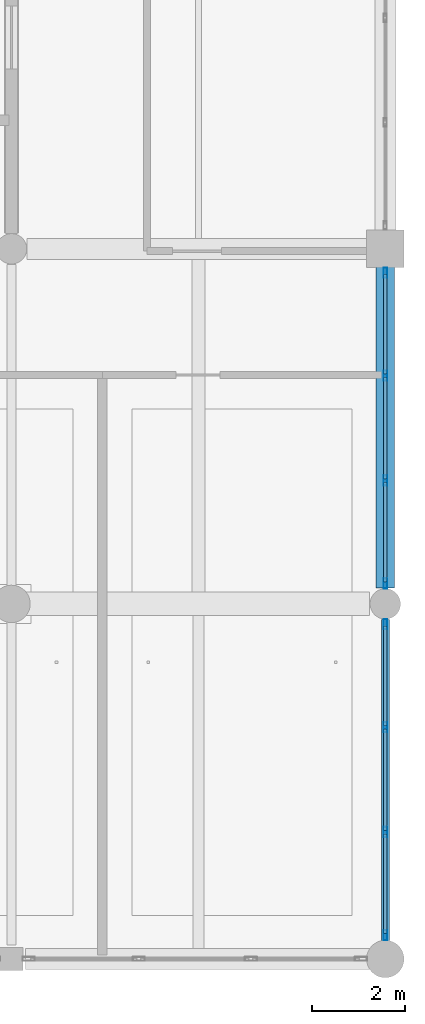
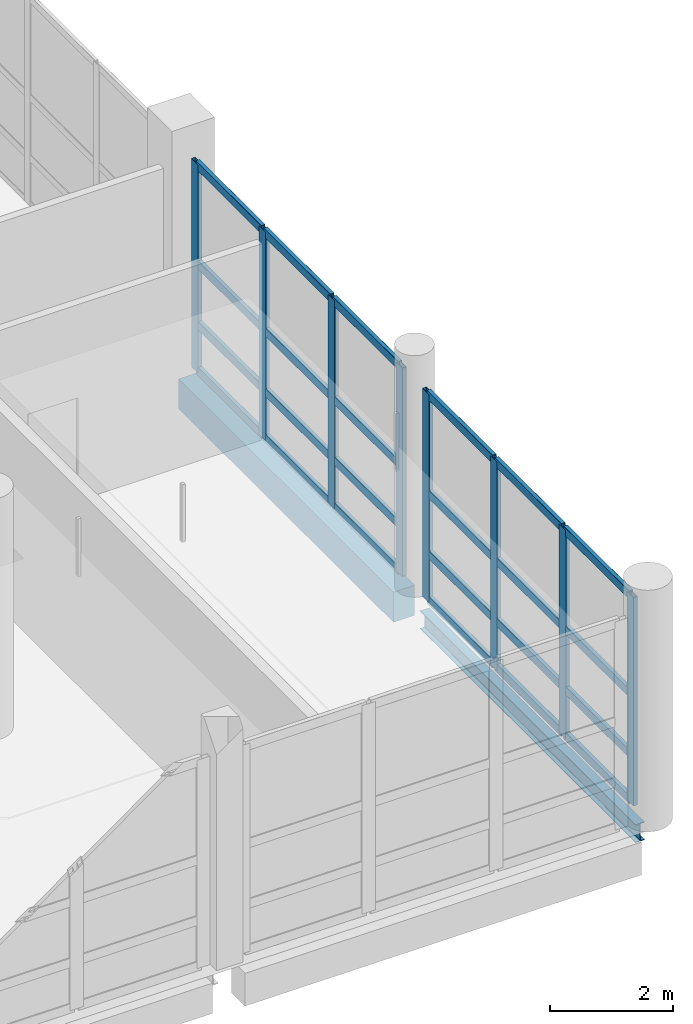
# One storey, part 6 of 18: 32 members, 2 beams, 2 elements without a shape of their own.
"""IFC4 building model written with IfcOpenShell, lengths in metres."""

from ifc_helpers import new_model, si_unit, direction, frame, origin, origin_2d, place, context, subcontext, project, spatial, rectangle, hollow_rectangle, i_section, extrude, material, material_profile, profile_set, type_object, element, aggregate, save


model = new_model("IFC4")

# Units and contexts
model_context = context("Model", 3, precision=1e-05, world=origin(), true_north=direction((0.0, 1.0)))
body_context = subcontext(model_context, "Body", "Model", "MODEL_VIEW")
ifc_project = project(units=[si_unit("LENGTHUNIT", "METRE"), si_unit("AREAUNIT", "SQUARE_METRE"), si_unit("VOLUMEUNIT", "CUBIC_METRE"), si_unit("PLANEANGLEUNIT", "RADIAN"), si_unit("MASSUNIT", "GRAM", prefix="KILO")], contexts=[model_context])

# Site, building, storey
site_placement = place(None, origin())
site = spatial("IfcSite", under=ifc_project, at=site_placement, CompositionType="ELEMENT")
building_placement = place(site_placement, origin())
building = spatial("IfcBuilding", under=site, at=building_placement, Name="Khelvaren Railside Concert Hall", CompositionType="ELEMENT")
storey_placement = place(building_placement, frame((0.0, 0.0, 24.60009765625)))
storey = spatial("IfcBuildingStorey", under=building, at=storey_placement, Name="L05", CompositionType="ELEMENT", Elevation=24.60009765625)

# Curtain wall, members
ifc_material_1 = material(Name="Triple-glazed solar-control glass", Category="glass")
curtain_wall_type_1 = type_object("IfcCurtainWallType", Name="CW41", PredefinedType="USERDEFINED", material=ifc_material_1)
curtain_wall_1_placement = place(storey_placement, origin())
curtain_wall_1 = element("IfcCurtainWall", 1, at=curtain_wall_1_placement, inside=storey, type_object=curtain_wall_type_1, Name="Unitised Curtain Wall CW-V5-L05-E-91", ObjectType="UNITISED CURTAIN WALL", PredefinedType="USERDEFINED")
ifc_material_2 = material(Name="Anodised architectural aluminium 6063-T6", Category="aluminium")
ifc_material_profile_1 = material_profile(ifc_material_2, hollow_rectangle(XDim=0.074951171875, YDim=0.219970703125, WallThickness=0.0048828125, InnerFilletRadius=0.0029296875, OuterFilletRadius=0.0048828125, at=origin_2d()), Name="CWM 75x220x5")
ifc_profile_set_1 = profile_set([ifc_material_profile_1], Name="Anodised architectural aluminium 6063-T6")
member_type_1 = type_object("IfcMemberType", Name="CWM13", PredefinedType="MULLION", material=ifc_profile_set_1)
member_1_placement = place(storey_placement, frame((184.0, 98.364990234375, 0.0), z_axis=(0.0, 0.0, 1.0), x_axis=(1.0, 0.0, 0.0)))
member_1 = element("IfcMember", 2, at=member_1_placement, type_object=member_type_1, Name="CW41 mullion 1", PredefinedType="MULLION", context=body_context, shape_type="SweptSolid", body=[
    extrude(hollow_rectangle(XDim=0.074951171875, YDim=0.219970703125, WallThickness=0.0048828125, InnerFilletRadius=0.0029296875, OuterFilletRadius=0.0048828125, at=origin_2d()), origin(), (0.0, 0.0, 1.0), 4.139892578125),
])
member_2_placement = place(storey_placement, frame((184.0, 96.1591796875, 0.0), z_axis=(0.0, 0.0, 1.0), x_axis=(1.0, 0.0, 0.0)))
member_2 = element("IfcMember", 3, at=member_2_placement, type_object=member_type_1, Name="CW41 mullion 2", PredefinedType="MULLION", context=body_context, shape_type="SweptSolid", body=[
    extrude(hollow_rectangle(XDim=0.074951171875, YDim=0.219970703125, WallThickness=0.0048828125, InnerFilletRadius=0.0029296875, OuterFilletRadius=0.0048828125, at=origin_2d()), origin(), (0.0, 0.0, 1.0), 4.139892578125),
])
member_3_placement = place(storey_placement, frame((184.0, 93.915771484375, 0.0), z_axis=(0.0, 0.0, 1.0), x_axis=(1.0, 0.0, 0.0)))
member_3 = element("IfcMember", 4, at=member_3_placement, type_object=member_type_1, Name="CW41 mullion 3", PredefinedType="MULLION", context=body_context, shape_type="SweptSolid", body=[
    extrude(hollow_rectangle(XDim=0.074951171875, YDim=0.219970703125, WallThickness=0.0048828125, InnerFilletRadius=0.0029296875, OuterFilletRadius=0.0048828125, at=origin_2d()), origin(), (0.0, 0.0, 1.0), 4.139892578125),
])
member_4_placement = place(storey_placement, frame((184.0, 91.7099609375, 0.0), z_axis=(0.0, 0.0, 1.0), x_axis=(1.0, 0.0, 0.0)))
member_4 = element("IfcMember", 5, at=member_4_placement, type_object=member_type_1, Name="CW41 mullion 4", PredefinedType="MULLION", context=body_context, shape_type="SweptSolid", body=[
    extrude(hollow_rectangle(XDim=0.074951171875, YDim=0.219970703125, WallThickness=0.0048828125, InnerFilletRadius=0.0029296875, OuterFilletRadius=0.0048828125, at=origin_2d()), origin(), (0.0, 0.0, 1.0), 4.139892578125),
])

curtain_wall_type_2 = type_object("IfcCurtainWallType", Name="CW88", PredefinedType="USERDEFINED", material=ifc_material_1)
curtain_wall_2_placement = place(storey_placement, origin())
curtain_wall_2 = element("IfcCurtainWall", 6, at=curtain_wall_2_placement, inside=storey, type_object=curtain_wall_type_2, Name="Unitised Curtain Wall CW-V5-L05-E-99", ObjectType="UNITISED CURTAIN WALL", PredefinedType="USERDEFINED")
member_5_placement = place(storey_placement, frame((184.0, 105.889892578125, 0.0), z_axis=(0.0, 0.0, 1.0), x_axis=(1.0, 0.0, 0.0)))
member_5 = element("IfcMember", 7, at=member_5_placement, type_object=member_type_1, Name="CW88 mullion 1", PredefinedType="MULLION", context=body_context, shape_type="SweptSolid", body=[
    extrude(hollow_rectangle(XDim=0.074951171875, YDim=0.219970703125, WallThickness=0.0048828125, InnerFilletRadius=0.0029296875, OuterFilletRadius=0.0048828125, at=origin_2d()), origin(), (0.0, 0.0, 1.0), 4.139892578125),
])
member_6_placement = place(storey_placement, frame((184.0, 103.68408203125, 0.0), z_axis=(0.0, 0.0, 1.0), x_axis=(1.0, 0.0, 0.0)))
member_6 = element("IfcMember", 8, at=member_6_placement, type_object=member_type_1, Name="CW88 mullion 2", PredefinedType="MULLION", context=body_context, shape_type="SweptSolid", body=[
    extrude(hollow_rectangle(XDim=0.074951171875, YDim=0.219970703125, WallThickness=0.0048828125, InnerFilletRadius=0.0029296875, OuterFilletRadius=0.0048828125, at=origin_2d()), origin(), (0.0, 0.0, 1.0), 4.139892578125),
])
member_7_placement = place(storey_placement, frame((184.0, 101.44091796875, 0.0), z_axis=(0.0, 0.0, 1.0), x_axis=(1.0, 0.0, 0.0)))
member_7 = element("IfcMember", 9, at=member_7_placement, type_object=member_type_1, Name="CW88 mullion 3", PredefinedType="MULLION", context=body_context, shape_type="SweptSolid", body=[
    extrude(hollow_rectangle(XDim=0.074951171875, YDim=0.219970703125, WallThickness=0.0048828125, InnerFilletRadius=0.0029296875, OuterFilletRadius=0.0048828125, at=origin_2d()), origin(), (0.0, 0.0, 1.0), 4.139892578125),
])
member_8_placement = place(storey_placement, frame((184.0, 99.235107421875, 0.0), z_axis=(0.0, 0.0, 1.0), x_axis=(1.0, 0.0, 0.0)))
member_8 = element("IfcMember", 10, at=member_8_placement, type_object=member_type_1, Name="CW88 mullion 4", PredefinedType="MULLION", context=body_context, shape_type="SweptSolid", body=[
    extrude(hollow_rectangle(XDim=0.074951171875, YDim=0.219970703125, WallThickness=0.0048828125, InnerFilletRadius=0.0029296875, OuterFilletRadius=0.0048828125, at=origin_2d()), origin(), (0.0, 0.0, 1.0), 4.139892578125),
])

# Member
ifc_material_profile_2 = material_profile(ifc_material_2, hollow_rectangle(XDim=0.074951171875, YDim=0.1650390625, WallThickness=0.00390625, InnerFilletRadius=0.001953125, OuterFilletRadius=0.00390625, at=origin_2d()), Name="CWT 75x165x4")
ifc_profile_set_2 = profile_set([ifc_material_profile_2], Name="Anodised architectural aluminium 6063-T6")
member_type_2 = type_object("IfcMemberType", Name="CWT46", PredefinedType="USERDEFINED", material=ifc_profile_set_2)
member_9_placement = place(storey_placement, frame((184.0, 98.327392578125, 0.037353515625), z_axis=(0.0, -1.0, 0.0), x_axis=(1.0, 0.0, 0.0)))
member_9 = element("IfcMember", 11, at=member_9_placement, type_object=member_type_2, Name="CW41 transom 1.1", ObjectType="TRANSOM", PredefinedType="USERDEFINED", context=body_context, shape_type="SweptSolid", body=[
    extrude(hollow_rectangle(XDim=0.074951171875, YDim=0.1650390625, WallThickness=0.00390625, InnerFilletRadius=0.001953125, OuterFilletRadius=0.00390625, at=origin_2d()), origin(), (0.0, 0.0, 1.0), 2.130615234375),
])

member_10_placement = place(storey_placement, frame((184.0, 98.327392578125, 0.949951171875), z_axis=(0.0, -1.0, 0.0), x_axis=(1.0, 0.0, 0.0)))
member_10 = element("IfcMember", 12, at=member_10_placement, type_object=member_type_2, Name="CW41 transom 1.2", ObjectType="TRANSOM", PredefinedType="USERDEFINED", context=body_context, shape_type="SweptSolid", body=[
    extrude(hollow_rectangle(XDim=0.074951171875, YDim=0.1650390625, WallThickness=0.00390625, InnerFilletRadius=0.001953125, OuterFilletRadius=0.00390625, at=origin_2d()), origin(), (0.0, 0.0, 1.0), 2.130615234375),
])

member_11_placement = place(storey_placement, frame((184.0, 98.327392578125, 2.152587890625), z_axis=(0.0, -1.0, 0.0), x_axis=(1.0, 0.0, 0.0)))
member_11 = element("IfcMember", 13, at=member_11_placement, type_object=member_type_2, Name="CW41 transom 1.3", ObjectType="TRANSOM", PredefinedType="USERDEFINED", context=body_context, shape_type="SweptSolid", body=[
    extrude(hollow_rectangle(XDim=0.074951171875, YDim=0.1650390625, WallThickness=0.00390625, InnerFilletRadius=0.001953125, OuterFilletRadius=0.00390625, at=origin_2d()), origin(), (0.0, 0.0, 1.0), 2.130615234375),
])

member_12_placement = place(storey_placement, frame((184.0, 98.327392578125, 4.102294921875), z_axis=(0.0, -1.0, 0.0), x_axis=(1.0, 0.0, 0.0)))
member_12 = element("IfcMember", 14, at=member_12_placement, type_object=member_type_2, Name="CW41 transom 1.4", ObjectType="TRANSOM", PredefinedType="USERDEFINED", context=body_context, shape_type="SweptSolid", body=[
    extrude(hollow_rectangle(XDim=0.074951171875, YDim=0.1650390625, WallThickness=0.00390625, InnerFilletRadius=0.001953125, OuterFilletRadius=0.00390625, at=origin_2d()), origin(), (0.0, 0.0, 1.0), 2.130615234375),
])

member_13_placement = place(storey_placement, frame((184.0, 96.12158203125, 0.037353515625), z_axis=(0.0, -1.0, 0.0), x_axis=(1.0, 0.0, 0.0)))
member_13 = element("IfcMember", 15, at=member_13_placement, type_object=member_type_2, Name="CW41 transom 2.1", ObjectType="TRANSOM", PredefinedType="USERDEFINED", context=body_context, shape_type="SweptSolid", body=[
    extrude(hollow_rectangle(XDim=0.074951171875, YDim=0.1650390625, WallThickness=0.00390625, InnerFilletRadius=0.001953125, OuterFilletRadius=0.00390625, at=origin_2d()), origin(), (0.0, 0.0, 1.0), 2.168212890625),
])

member_14_placement = place(storey_placement, frame((184.0, 96.12158203125, 0.949951171875), z_axis=(0.0, -1.0, 0.0), x_axis=(1.0, 0.0, 0.0)))
member_14 = element("IfcMember", 16, at=member_14_placement, type_object=member_type_2, Name="CW41 transom 2.2", ObjectType="TRANSOM", PredefinedType="USERDEFINED", context=body_context, shape_type="SweptSolid", body=[
    extrude(hollow_rectangle(XDim=0.074951171875, YDim=0.1650390625, WallThickness=0.00390625, InnerFilletRadius=0.001953125, OuterFilletRadius=0.00390625, at=origin_2d()), origin(), (0.0, 0.0, 1.0), 2.168212890625),
])

member_15_placement = place(storey_placement, frame((184.0, 96.12158203125, 2.152587890625), z_axis=(0.0, -1.0, 0.0), x_axis=(1.0, 0.0, 0.0)))
member_15 = element("IfcMember", 17, at=member_15_placement, type_object=member_type_2, Name="CW41 transom 2.3", ObjectType="TRANSOM", PredefinedType="USERDEFINED", context=body_context, shape_type="SweptSolid", body=[
    extrude(hollow_rectangle(XDim=0.074951171875, YDim=0.1650390625, WallThickness=0.00390625, InnerFilletRadius=0.001953125, OuterFilletRadius=0.00390625, at=origin_2d()), origin(), (0.0, 0.0, 1.0), 2.168212890625),
])

member_16_placement = place(storey_placement, frame((184.0, 96.12158203125, 4.102294921875), z_axis=(0.0, -1.0, 0.0), x_axis=(1.0, 0.0, 0.0)))
member_16 = element("IfcMember", 18, at=member_16_placement, type_object=member_type_2, Name="CW41 transom 2.4", ObjectType="TRANSOM", PredefinedType="USERDEFINED", context=body_context, shape_type="SweptSolid", body=[
    extrude(hollow_rectangle(XDim=0.074951171875, YDim=0.1650390625, WallThickness=0.00390625, InnerFilletRadius=0.001953125, OuterFilletRadius=0.00390625, at=origin_2d()), origin(), (0.0, 0.0, 1.0), 2.168212890625),
])

member_17_placement = place(storey_placement, frame((184.0, 93.87841796875, 0.037353515625), z_axis=(0.0, -1.0, 0.0), x_axis=(1.0, 0.0, 0.0)))
member_17 = element("IfcMember", 19, at=member_17_placement, type_object=member_type_2, Name="CW41 transom 3.1", ObjectType="TRANSOM", PredefinedType="USERDEFINED", context=body_context, shape_type="SweptSolid", body=[
    extrude(hollow_rectangle(XDim=0.074951171875, YDim=0.1650390625, WallThickness=0.00390625, InnerFilletRadius=0.001953125, OuterFilletRadius=0.00390625, at=origin_2d()), origin(), (0.0, 0.0, 1.0), 2.130859375),
])

member_18_placement = place(storey_placement, frame((184.0, 93.87841796875, 0.949951171875), z_axis=(0.0, -1.0, 0.0), x_axis=(1.0, 0.0, 0.0)))
member_18 = element("IfcMember", 20, at=member_18_placement, type_object=member_type_2, Name="CW41 transom 3.2", ObjectType="TRANSOM", PredefinedType="USERDEFINED", context=body_context, shape_type="SweptSolid", body=[
    extrude(hollow_rectangle(XDim=0.074951171875, YDim=0.1650390625, WallThickness=0.00390625, InnerFilletRadius=0.001953125, OuterFilletRadius=0.00390625, at=origin_2d()), origin(), (0.0, 0.0, 1.0), 2.130859375),
])

member_19_placement = place(storey_placement, frame((184.0, 93.87841796875, 2.152587890625), z_axis=(0.0, -1.0, 0.0), x_axis=(1.0, 0.0, 0.0)))
member_19 = element("IfcMember", 21, at=member_19_placement, type_object=member_type_2, Name="CW41 transom 3.3", ObjectType="TRANSOM", PredefinedType="USERDEFINED", context=body_context, shape_type="SweptSolid", body=[
    extrude(hollow_rectangle(XDim=0.074951171875, YDim=0.1650390625, WallThickness=0.00390625, InnerFilletRadius=0.001953125, OuterFilletRadius=0.00390625, at=origin_2d()), origin(), (0.0, 0.0, 1.0), 2.130859375),
])

member_20_placement = place(storey_placement, frame((184.0, 93.87841796875, 4.102294921875), z_axis=(0.0, -1.0, 0.0), x_axis=(1.0, 0.0, 0.0)))
member_20 = element("IfcMember", 22, at=member_20_placement, type_object=member_type_2, Name="CW41 transom 3.4", ObjectType="TRANSOM", PredefinedType="USERDEFINED", context=body_context, shape_type="SweptSolid", body=[
    extrude(hollow_rectangle(XDim=0.074951171875, YDim=0.1650390625, WallThickness=0.00390625, InnerFilletRadius=0.001953125, OuterFilletRadius=0.00390625, at=origin_2d()), origin(), (0.0, 0.0, 1.0), 2.130859375),
])

aggregate(curtain_wall_1, [member_1, member_2, member_3, member_4, member_9, member_10, member_11, member_12, member_13, member_14, member_15, member_16, member_17, member_18, member_19, member_20])

member_21_placement = place(storey_placement, frame((184.0, 105.8525390625, 0.037353515625), z_axis=(0.0, -1.0, 0.0), x_axis=(1.0, 0.0, 0.0)))
member_21 = element("IfcMember", 23, at=member_21_placement, type_object=member_type_2, Name="CW88 transom 1.1", ObjectType="TRANSOM", PredefinedType="USERDEFINED", context=body_context, shape_type="SweptSolid", body=[
    extrude(hollow_rectangle(XDim=0.074951171875, YDim=0.1650390625, WallThickness=0.00390625, InnerFilletRadius=0.001953125, OuterFilletRadius=0.00390625, at=origin_2d()), origin(), (0.0, 0.0, 1.0), 2.130859375),
])

member_22_placement = place(storey_placement, frame((184.0, 105.8525390625, 0.949951171875), z_axis=(0.0, -1.0, 0.0), x_axis=(1.0, 0.0, 0.0)))
member_22 = element("IfcMember", 24, at=member_22_placement, type_object=member_type_2, Name="CW88 transom 1.2", ObjectType="TRANSOM", PredefinedType="USERDEFINED", context=body_context, shape_type="SweptSolid", body=[
    extrude(hollow_rectangle(XDim=0.074951171875, YDim=0.1650390625, WallThickness=0.00390625, InnerFilletRadius=0.001953125, OuterFilletRadius=0.00390625, at=origin_2d()), origin(), (0.0, 0.0, 1.0), 2.130859375),
])

member_23_placement = place(storey_placement, frame((184.0, 105.8525390625, 2.152587890625), z_axis=(0.0, -1.0, 0.0), x_axis=(1.0, 0.0, 0.0)))
member_23 = element("IfcMember", 25, at=member_23_placement, type_object=member_type_2, Name="CW88 transom 1.3", ObjectType="TRANSOM", PredefinedType="USERDEFINED", context=body_context, shape_type="SweptSolid", body=[
    extrude(hollow_rectangle(XDim=0.074951171875, YDim=0.1650390625, WallThickness=0.00390625, InnerFilletRadius=0.001953125, OuterFilletRadius=0.00390625, at=origin_2d()), origin(), (0.0, 0.0, 1.0), 2.130859375),
])

member_24_placement = place(storey_placement, frame((184.0, 105.8525390625, 4.102294921875), z_axis=(0.0, -1.0, 0.0), x_axis=(1.0, 0.0, 0.0)))
member_24 = element("IfcMember", 26, at=member_24_placement, type_object=member_type_2, Name="CW88 transom 1.4", ObjectType="TRANSOM", PredefinedType="USERDEFINED", context=body_context, shape_type="SweptSolid", body=[
    extrude(hollow_rectangle(XDim=0.074951171875, YDim=0.1650390625, WallThickness=0.00390625, InnerFilletRadius=0.001953125, OuterFilletRadius=0.00390625, at=origin_2d()), origin(), (0.0, 0.0, 1.0), 2.130859375),
])

member_25_placement = place(storey_placement, frame((184.0, 103.646728515625, 0.037353515625), z_axis=(0.0, -1.0, 0.0), x_axis=(1.0, 0.0, 0.0)))
member_25 = element("IfcMember", 27, at=member_25_placement, type_object=member_type_2, Name="CW88 transom 2.1", ObjectType="TRANSOM", PredefinedType="USERDEFINED", context=body_context, shape_type="SweptSolid", body=[
    extrude(hollow_rectangle(XDim=0.074951171875, YDim=0.1650390625, WallThickness=0.00390625, InnerFilletRadius=0.001953125, OuterFilletRadius=0.00390625, at=origin_2d()), origin(), (0.0, 0.0, 1.0), 2.16845703125),
])

member_26_placement = place(storey_placement, frame((184.0, 103.646728515625, 0.949951171875), z_axis=(0.0, -1.0, 0.0), x_axis=(1.0, 0.0, 0.0)))
member_26 = element("IfcMember", 28, at=member_26_placement, type_object=member_type_2, Name="CW88 transom 2.2", ObjectType="TRANSOM", PredefinedType="USERDEFINED", context=body_context, shape_type="SweptSolid", body=[
    extrude(hollow_rectangle(XDim=0.074951171875, YDim=0.1650390625, WallThickness=0.00390625, InnerFilletRadius=0.001953125, OuterFilletRadius=0.00390625, at=origin_2d()), origin(), (0.0, 0.0, 1.0), 2.16845703125),
])

member_27_placement = place(storey_placement, frame((184.0, 103.646728515625, 2.152587890625), z_axis=(0.0, -1.0, 0.0), x_axis=(1.0, 0.0, 0.0)))
member_27 = element("IfcMember", 29, at=member_27_placement, type_object=member_type_2, Name="CW88 transom 2.3", ObjectType="TRANSOM", PredefinedType="USERDEFINED", context=body_context, shape_type="SweptSolid", body=[
    extrude(hollow_rectangle(XDim=0.074951171875, YDim=0.1650390625, WallThickness=0.00390625, InnerFilletRadius=0.001953125, OuterFilletRadius=0.00390625, at=origin_2d()), origin(), (0.0, 0.0, 1.0), 2.16845703125),
])

member_28_placement = place(storey_placement, frame((184.0, 103.646728515625, 4.102294921875), z_axis=(0.0, -1.0, 0.0), x_axis=(1.0, 0.0, 0.0)))
member_28 = element("IfcMember", 30, at=member_28_placement, type_object=member_type_2, Name="CW88 transom 2.4", ObjectType="TRANSOM", PredefinedType="USERDEFINED", context=body_context, shape_type="SweptSolid", body=[
    extrude(hollow_rectangle(XDim=0.074951171875, YDim=0.1650390625, WallThickness=0.00390625, InnerFilletRadius=0.001953125, OuterFilletRadius=0.00390625, at=origin_2d()), origin(), (0.0, 0.0, 1.0), 2.16845703125),
])

member_29_placement = place(storey_placement, frame((184.0, 101.4033203125, 0.037353515625), z_axis=(0.0, -1.0, 0.0), x_axis=(1.0, 0.0, 0.0)))
member_29 = element("IfcMember", 31, at=member_29_placement, type_object=member_type_2, Name="CW88 transom 3.1", ObjectType="TRANSOM", PredefinedType="USERDEFINED", context=body_context, shape_type="SweptSolid", body=[
    extrude(hollow_rectangle(XDim=0.074951171875, YDim=0.1650390625, WallThickness=0.00390625, InnerFilletRadius=0.001953125, OuterFilletRadius=0.00390625, at=origin_2d()), origin(), (0.0, 0.0, 1.0), 2.130859375),
])

member_30_placement = place(storey_placement, frame((184.0, 101.4033203125, 0.949951171875), z_axis=(0.0, -1.0, 0.0), x_axis=(1.0, 0.0, 0.0)))
member_30 = element("IfcMember", 32, at=member_30_placement, type_object=member_type_2, Name="CW88 transom 3.2", ObjectType="TRANSOM", PredefinedType="USERDEFINED", context=body_context, shape_type="SweptSolid", body=[
    extrude(hollow_rectangle(XDim=0.074951171875, YDim=0.1650390625, WallThickness=0.00390625, InnerFilletRadius=0.001953125, OuterFilletRadius=0.00390625, at=origin_2d()), origin(), (0.0, 0.0, 1.0), 2.130859375),
])

member_31_placement = place(storey_placement, frame((184.0, 101.4033203125, 2.152587890625), z_axis=(0.0, -1.0, 0.0), x_axis=(1.0, 0.0, 0.0)))
member_31 = element("IfcMember", 33, at=member_31_placement, type_object=member_type_2, Name="CW88 transom 3.3", ObjectType="TRANSOM", PredefinedType="USERDEFINED", context=body_context, shape_type="SweptSolid", body=[
    extrude(hollow_rectangle(XDim=0.074951171875, YDim=0.1650390625, WallThickness=0.00390625, InnerFilletRadius=0.001953125, OuterFilletRadius=0.00390625, at=origin_2d()), origin(), (0.0, 0.0, 1.0), 2.130859375),
])

member_32_placement = place(storey_placement, frame((184.0, 101.4033203125, 4.102294921875), z_axis=(0.0, -1.0, 0.0), x_axis=(1.0, 0.0, 0.0)))
member_32 = element("IfcMember", 34, at=member_32_placement, type_object=member_type_2, Name="CW88 transom 3.4", ObjectType="TRANSOM", PredefinedType="USERDEFINED", context=body_context, shape_type="SweptSolid", body=[
    extrude(hollow_rectangle(XDim=0.074951171875, YDim=0.1650390625, WallThickness=0.00390625, InnerFilletRadius=0.001953125, OuterFilletRadius=0.00390625, at=origin_2d()), origin(), (0.0, 0.0, 1.0), 2.130859375),
])

aggregate(curtain_wall_2, [member_5, member_6, member_7, member_8, member_21, member_22, member_23, member_24, member_25, member_26, member_27, member_28, member_29, member_30, member_31, member_32])

# Beams
ifc_material_3 = material(Name="Steel S355", Category="steel")
ifc_material_profile_3 = material_profile(ifc_material_3, i_section(OverallWidth=0.169921875, OverallDepth=0.360107421875, WebThickness=0.008056640625, FlangeThickness=0.0126953125, FilletRadius=0.01806640625, at=origin_2d()), Name="IPE 360")
ifc_profile_set_3 = profile_set([ifc_material_profile_3], Name="Steel S355")
beam_type_1 = type_object("IfcBeamType", Name="SP74", PredefinedType="SPANDREL", material=ifc_profile_set_3)
beam_1_placement = place(storey_placement, frame((184.0, 91.449951171875, -0.440185546875), z_axis=(0.0, 1.0, 0.0), x_axis=(-1.0, 0.0, 0.0)))
element("IfcBeam", 35, at=beam_1_placement, inside=storey, type_object=beam_type_1, Name="V5 L05 Spandrel Y8.2", PredefinedType="SPANDREL", context=body_context, shape_type="SweptSolid", body=[
    extrude(i_section(OverallWidth=0.169921875, OverallDepth=0.360107421875, WebThickness=0.008056640625, FlangeThickness=0.0126953125, FilletRadius=0.01806640625, at=origin_2d()), origin(), (0.0, 0.0, 1.0), 7.01416015625),
])
ifc_material_4 = material(Name="Concrete C40/50", Category="concrete")
ifc_material_profile_4 = material_profile(ifc_material_4, rectangle(XDim=0.39990234375, YDim=0.60009765625, at=origin_2d()), Name="RCB 400x600")
ifc_profile_set_4 = profile_set([ifc_material_profile_4], Name="Concrete C40/50")
beam_type_2 = type_object("IfcBeamType", Name="SP75", PredefinedType="SPANDREL", material=ifc_profile_set_4)
beam_2_placement = place(storey_placement, frame((184.0, 99.135986328125, -0.56005859375), z_axis=(0.0, 1.0, 0.0), x_axis=(-1.0, 0.0, 0.0)))
element("IfcBeam", 36, at=beam_2_placement, inside=storey, type_object=beam_type_2, Name="V5 L05 Spandrel Y8.3", PredefinedType="SPANDREL", context=body_context, shape_type="SweptSolid", body=[
    extrude(rectangle(XDim=0.39990234375, YDim=0.60009765625, at=origin_2d()), origin(), (0.0, 0.0, 1.0), 6.990966796875),
])

save(model, "model.ifc")
